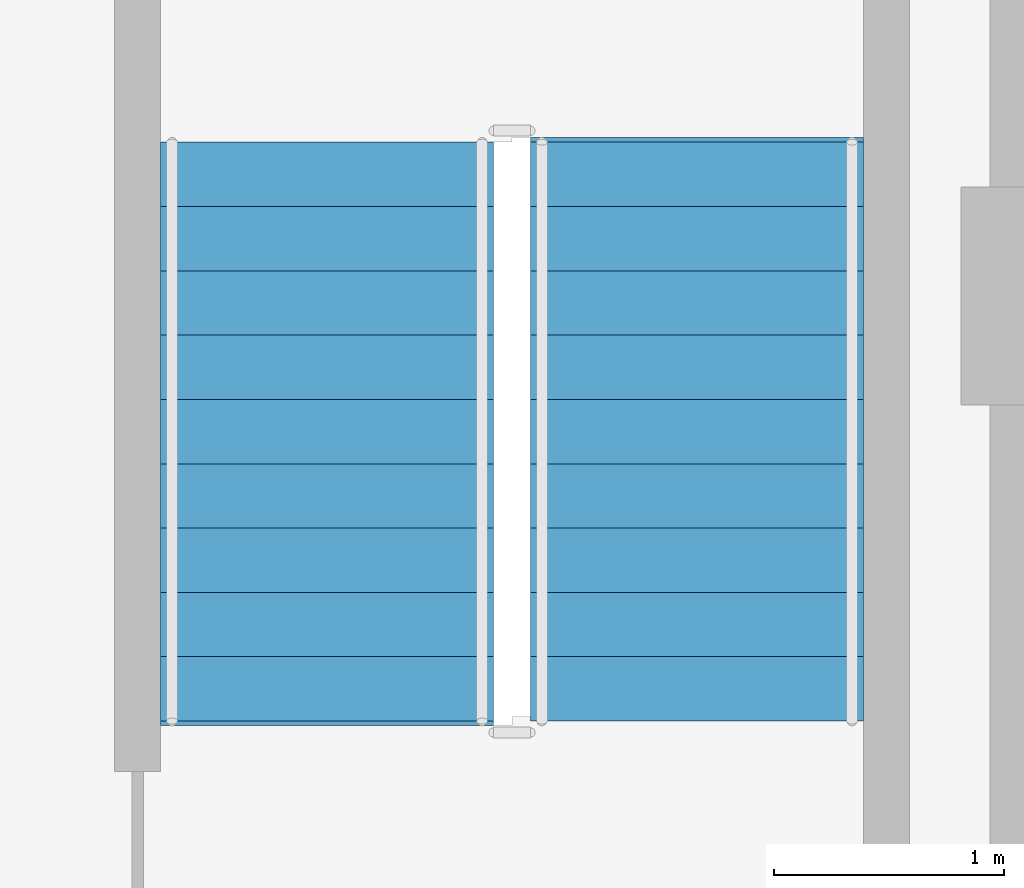
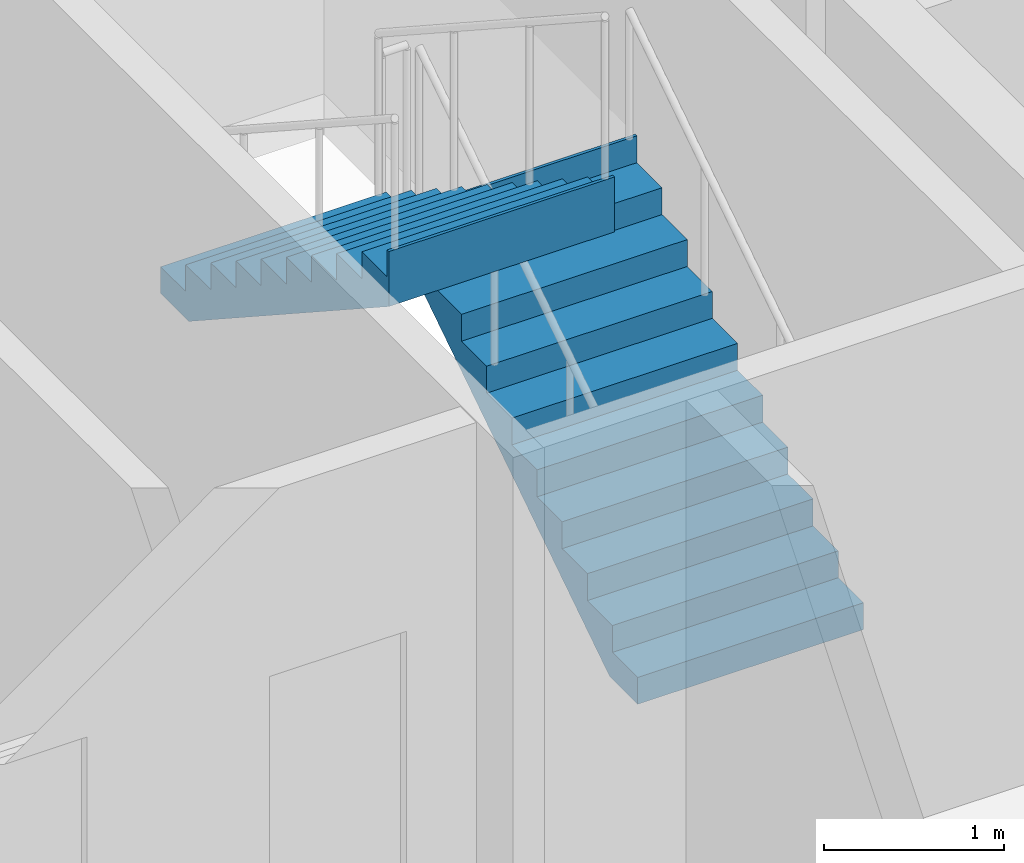
# One storey, part 11 of 15: 2 stair flights, 1 element without a shape of its own.
"""IFC4 building model written with IfcOpenShell, lengths in metres."""

from ifc_helpers import new_model, si_unit, direction, frame, origin, place, context, subcontext, project, spatial, polyline, outline, extrude, material, type_object, element, aggregate, save


model = new_model("IFC4")

# Units and contexts
model_context = context("Model", 3, precision=1e-05, world=origin(), true_north=direction((0.0, 1.0)))
body_context = subcontext(model_context, "Body", "Model", "MODEL_VIEW")
ifc_project = project(units=[si_unit("LENGTHUNIT", "METRE"), si_unit("AREAUNIT", "SQUARE_METRE"), si_unit("VOLUMEUNIT", "CUBIC_METRE"), si_unit("PLANEANGLEUNIT", "RADIAN"), si_unit("MASSUNIT", "GRAM", prefix="KILO")], contexts=[model_context])

# Site, building, storey
site_placement = place(None, origin())
site = spatial("IfcSite", under=ifc_project, at=site_placement, CompositionType="ELEMENT")
building_placement = place(site_placement, origin())
building = spatial("IfcBuilding", under=site, at=building_placement, Name="Nuvemarco Arch Tower", CompositionType="ELEMENT")
storey_placement = place(building_placement, frame((0.0, 0.0, 190.89990234375)))
storey = spatial("IfcBuildingStorey", under=building, at=storey_placement, Name="L50", CompositionType="ELEMENT", Elevation=190.89990234375)

# Stair, stair flights
ifc_material = material(Name="Precast concrete C45/55", Category="concrete")
stair_type = type_object("IfcStairType", Name="ST-CORE-20R", PredefinedType="HALF_TURN_STAIR", material=ifc_material)
stair_placement = place(storey_placement, origin())
stair = element("IfcStair", 1, at=stair_placement, inside=storey, type_object=stair_type, Name="L50 Protected Exit Stair ST-2", PredefinedType="HALF_TURN_STAIR")
stair_flight_type = type_object("IfcStairFlightType", Name="SF-CORE-20R", PredefinedType="STRAIGHT", material=ifc_material)
stair_flight_1_placement = place(storey_placement, frame((15.875, 2.64990234375, 0.0), z_axis=(0.0, 0.0, 1.0), x_axis=(0.0, 1.0, 0.0)))
stair_flight_1 = element("IfcStairFlight", 2, at=stair_flight_1_placement, type_object=stair_flight_type, Name="ST-20R flight 1", NumberOfRisers=10, NumberOfTreads=9, PredefinedType="STRAIGHT", RiserHeight=0.1825, TreadLength=0.28, context=body_context, shape_type="SweptSolid", body=[
    extrude(outline(polyline([(0.0, 0.0), (0.0, 0.1826171875), (0.280029296875, 0.1826171875), (0.280029296875, 0.364990234375), (0.56005859375, 0.364990234375), (0.56005859375, 0.547607421875), (0.840087890625, 0.547607421875), (0.840087890625, 0.72998046875), (1.1201171875, 0.72998046875), (1.1201171875, 0.91259765625), (1.39990234375, 0.91259765625), (1.39990234375, 1.094970703125), (1.679931640625, 1.094970703125), (1.679931640625, 1.277587890625), (1.9599609375, 1.277587890625), (1.9599609375, 1.4599609375), (2.239990234375, 1.4599609375), (2.239990234375, 1.642578125), (2.52001953125, 1.642578125), (2.52001953125, 1.824951171875), (2.5400390625, 1.824951171875), (2.5400390625, 1.45166015625), (0.312744140625, 0.0), (0.0, 0.0)])), frame((0.0, 0.72509765625, 0.0), z_axis=(0.0, -1.0, 0.0), x_axis=(1.0, 0.0, 0.0)), (0.0, 0.0, 1.0), 1.449951171875),
])
stair_flight_2_placement = place(storey_placement, frame((14.264892578125, 5.169921875, 1.8251953125), z_axis=(0.0, 0.0, 1.0), x_axis=(0.0, -1.0, 0.0)))
stair_flight_2 = element("IfcStairFlight", 3, at=stair_flight_2_placement, type_object=stair_flight_type, Name="ST-20R flight 2", NumberOfRisers=10, NumberOfTreads=9, PredefinedType="STRAIGHT", RiserHeight=0.1825, TreadLength=0.28, context=body_context, shape_type="SweptSolid", body=[
    extrude(outline(polyline([(0.0, 0.0), (0.0, 0.1826171875), (0.280029296875, 0.1826171875), (0.280029296875, 0.364990234375), (0.56005859375, 0.364990234375), (0.56005859375, 0.547607421875), (0.840087890625, 0.547607421875), (0.840087890625, 0.72998046875), (1.1201171875, 0.72998046875), (1.1201171875, 0.91259765625), (1.39990234375, 0.91259765625), (1.39990234375, 1.094970703125), (1.679931640625, 1.094970703125), (1.679931640625, 1.277587890625), (1.9599609375, 1.277587890625), (1.9599609375, 1.4599609375), (2.239990234375, 1.4599609375), (2.239990234375, 1.642578125), (2.52001953125, 1.642578125), (2.52001953125, 1.824951171875), (2.5400390625, 1.824951171875), (2.5400390625, 1.45166015625), (0.312744140625, 0.0), (0.0, 0.0)])), frame((0.0, 0.72509765625, 0.0), z_axis=(0.0, -1.0, 0.0), x_axis=(1.0, 0.0, 0.0)), (0.0, 0.0, 1.0), 1.449951171875),
])
aggregate(stair, [stair_flight_1, stair_flight_2])

save(model, "model.ifc")
